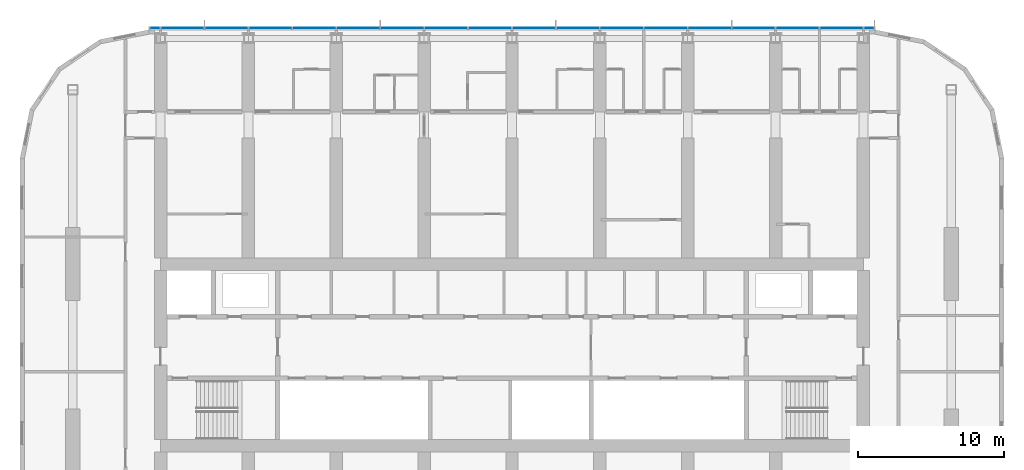
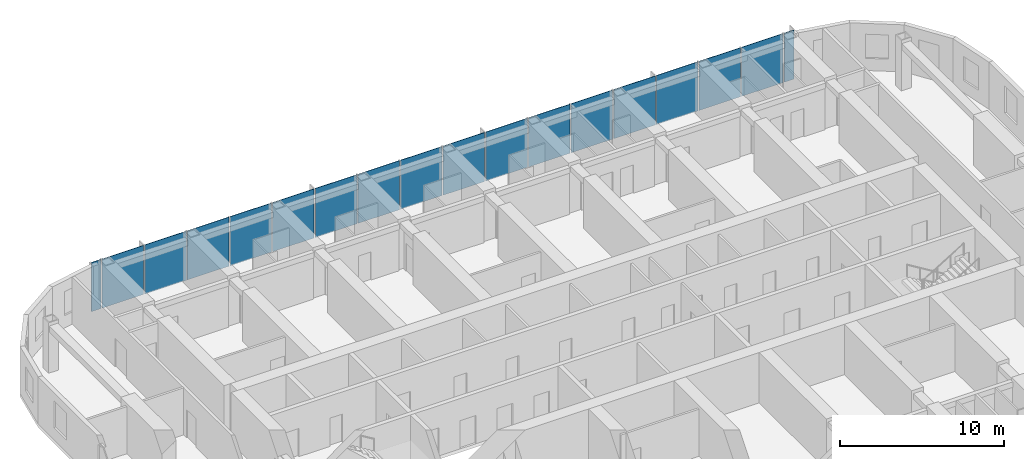
# One storey, part 9 of 23: 18 plates, 1 element without a shape of its own.
"""IFC4 building model written with IfcOpenShell, lengths in metres."""

import ifcopenshell
import ifcopenshell.guid

model = None  # the IFC model being written
_history = None  # IfcOwnerHistory: only IFC2X3 demands one
_inside = {}  # id of a spatial element -> (the spatial element, [elements in it])
_under = {}  # id of a project, library or spatial element -> (it, [spatial elements below it])
_declared = {}  # id of a project -> (the project, [libraries it declares])
_typed = {}  # id of a type object -> (the type object, [elements of that type])
_made_of = {}  # id of a material, layer set ... -> (it, [elements and type objects made of it])


def new_model(schema):
    """Start an empty IFC model of exactly this schema.

    Asked for "IFC4X3", IfcOpenShell would pick the latest addendum, in which some entities
    have other attributes; the version numbers below select the first issue.
    IFC2X3 requires an IfcOwnerHistory on every rooted entity: one is made here for all.
    """
    global model, _history
    if schema == "IFC4X3":
        model = ifcopenshell.file(schema_version=(4, 3, 0, 0))
    else:
        model = ifcopenshell.file(schema=schema)
    _inside.clear()
    _under.clear()
    _declared.clear()
    _typed.clear()
    _made_of.clear()
    _history = None
    if model.schema == "IFC2X3":
        org = make("IfcOrganization", Name="unknown")
        user = make(
            "IfcPersonAndOrganization",
            ThePerson=make("IfcPerson", FamilyName="unknown"),
            TheOrganization=org,
        )
        app = make(
            "IfcApplication",
            ApplicationDeveloper=org,
            Version="unknown",
            ApplicationFullName="unknown",
            ApplicationIdentifier="unknown",
        )
        _history = make(
            "IfcOwnerHistory",
            OwningUser=user,
            OwningApplication=app,
            ChangeAction="ADDED",
            CreationDate=0,
        )
    return model


def make(cls, **values):
    """One entity of the class cls with the attributes given. An attribute that is None is left unset."""
    return model.create_entity(
        cls, **{name: value for name, value in values.items() if value is not None}
    )


def rooted(cls, **values):
    """An entity with a GlobalId (a new one), such as an element, a storey or a relation."""
    return make(cls, GlobalId=ifcopenshell.guid.new(), OwnerHistory=_history, **values)


def si_unit(unit_type, name, prefix=None):
    """IfcSIUnit, for example si_unit("LENGTHUNIT", "METRE", prefix="MILLI")."""
    return make("IfcSIUnit", UnitType=unit_type, Prefix=prefix, Name=name)


def assignment(units):
    """IfcUnitAssignment: the units of a project."""
    return None if units is None else make("IfcUnitAssignment", Units=units)


def point(xyz):
    """IfcCartesianPoint."""
    return None if xyz is None else make("IfcCartesianPoint", Coordinates=xyz)


def direction(xyz):
    """IfcDirection."""
    return None if xyz is None else make("IfcDirection", DirectionRatios=xyz)


def frame(location, z_axis=None, x_axis=None):
    """IfcAxis2Placement3D, a coordinate frame: its origin and axes. An axis left out is left unset."""
    return make(
        "IfcAxis2Placement3D",
        Location=point(location),
        Axis=direction(z_axis),
        RefDirection=direction(x_axis),
    )


def frame_2d(location, x_axis=None):
    """IfcAxis2Placement2D, a coordinate frame in the plane: its origin and x axis."""
    return make(
        "IfcAxis2Placement2D", Location=point(location), RefDirection=direction(x_axis)
    )


def origin():
    """The frame at (0, 0, 0) with its axes left unset."""
    return frame((0.0, 0.0, 0.0))


def origin_2d():
    """The frame at (0, 0) in the plane with its x axis left unset."""
    return frame_2d((0.0, 0.0))


def place(relative_to, where):
    """IfcLocalPlacement: puts the frame where relative to a parent placement (None: the world)."""
    return make(
        "IfcLocalPlacement", PlacementRelTo=relative_to, RelativePlacement=where
    )


def context(
    kind, dimensions, precision=None, world=None, true_north=None, identifier=None
):
    """IfcGeometricRepresentationContext, for example the 3D "Model" context."""
    return make(
        "IfcGeometricRepresentationContext",
        ContextIdentifier=identifier,
        ContextType=kind,
        CoordinateSpaceDimension=dimensions,
        Precision=precision,
        WorldCoordinateSystem=world,
        TrueNorth=true_north,
    )


def subcontext(parent, identifier, kind, view, scale=None):
    """IfcGeometricRepresentationSubContext, for example "Body" below "Model"."""
    return make(
        "IfcGeometricRepresentationSubContext",
        ContextIdentifier=identifier,
        ContextType=kind,
        ParentContext=parent,
        TargetScale=scale,
        TargetView=view,
    )


def project(units=None, contexts=None):
    """IfcProject with its units and contexts."""
    return rooted(
        "IfcProject",
        Name="project",
        RepresentationContexts=contexts,
        UnitsInContext=assignment(units),
    )


def spatial(cls, under=None, at=None, **own):
    """A site, building, storey or space (cls), placed at a placement, below another one or the project."""
    s = rooted(cls, ObjectPlacement=at, **own)
    if under is not None:
        _under.setdefault(under.id(), (under, []))[1].append(s)
    return s


def profile(cls, at=None, kind="AREA", **sizes):
    """A parametric profile (cls). Its sizes go by their IFC names, for example OverallWidth=200.0."""
    return make(cls, ProfileType=kind, Position=at, **sizes)


def rectangle(**sizes):
    """IfcRectangleProfileDef."""
    return profile("IfcRectangleProfileDef", **sizes)


def extrude(swept, where, along, depth):
    """IfcExtrudedAreaSolid: the profile swept, set in the frame where, extruded along a direction by depth."""
    return make(
        "IfcExtrudedAreaSolid",
        SweptArea=swept,
        Position=where,
        ExtrudedDirection=direction(along),
        Depth=depth,
    )


def shape(context_of_items, identifier, shape_type, items):
    """IfcShapeRepresentation: the items that make up one representation, for example the "Body"."""
    return make(
        "IfcShapeRepresentation",
        ContextOfItems=context_of_items,
        RepresentationIdentifier=identifier,
        RepresentationType=shape_type,
        Items=items,
    )


def material(Name=None, Category=None):
    """IfcMaterial."""
    return make("IfcMaterial", Name=Name, Category=Category)


def layer(
    of_material, thickness, ventilated=None, Name=None, Category=None, Priority=None
):
    """IfcMaterialLayer: one layer of a wall or slab, of a material (None: an air gap)."""
    return make(
        "IfcMaterialLayer",
        Material=of_material,
        LayerThickness=thickness,
        IsVentilated=ventilated,
        Name=Name,
        Category=Category,
        Priority=Priority,
    )


def layer_set(layers, Name=None):
    """IfcMaterialLayerSet."""
    return make("IfcMaterialLayerSet", MaterialLayers=layers, LayerSetName=Name)


def made_of(thing, what):
    """Note that an element or type object is made of a material, layer set ...; save() writes the relation."""
    if what is not None:
        _made_of.setdefault(what.id(), (what, []))[1].append(thing)
    return thing


def type_object(cls, material=None, **own):
    """A type object (cls), such as IfcWallType, which elements share."""
    return made_of(rooted(cls, **own), material)


def element(
    cls,
    number,
    at=None,
    inside=None,
    cuts=None,
    type_object=None,
    material=None,
    context=None,
    identifier="Body",
    shape_type=None,
    held_by="IfcProductDefinitionShape",
    body=None,
    shapes=None,
    **own,
):
    """One element of the class cls, such as IfcWall. Its Tag is "e" and its number.

    at: its placement. inside: the storey or other place that contains it. cuts: it is an
    opening in that element (IfcRelVoidsElement). A single representation is given by context,
    identifier, shape_type and body (its items); several are given by shapes. held_by: the class
    of the entity that holds the representations. save() writes the other relations.
    """
    e = rooted(cls, Tag="e%d" % number, ObjectPlacement=at, **own)
    if body is not None:
        shapes = [shape(context, identifier, shape_type, body)]
    if shapes is not None:
        e.Representation = make(held_by, Representations=shapes)
    if inside is not None:
        _inside.setdefault(inside.id(), (inside, []))[1].append(e)
    if cuts is not None:
        rooted(
            "IfcRelVoidsElement", RelatingBuildingElement=cuts, RelatedOpeningElement=e
        )
    if type_object is not None:
        _typed.setdefault(type_object.id(), (type_object, []))[1].append(e)
    return made_of(e, material)


def aggregate(whole, parts):
    """IfcRelAggregates: a whole, such as a stair, and the parts it consists of."""
    return rooted("IfcRelAggregates", RelatingObject=whole, RelatedObjects=parts)


def save(model, path):
    """Write the relations noted so far, then the file.

    IfcRelAggregates (storeys below a building ...), IfcRelContainedInSpatialStructure (elements
    in a storey), IfcRelDefinesByType, IfcRelAssociatesMaterial and IfcRelDeclares: one each for
    every whole, place, type object, material and project.
    """
    for whole, parts in _under.values():
        aggregate(whole, parts)
    for where, things in _inside.values():
        rooted(
            "IfcRelContainedInSpatialStructure",
            RelatedElements=things,
            RelatingStructure=where,
        )
    for kind, things in _typed.values():
        rooted("IfcRelDefinesByType", RelatedObjects=things, RelatingType=kind)
    for what, things in _made_of.values():
        rooted("IfcRelAssociatesMaterial", RelatedObjects=things, RelatingMaterial=what)
    for by, libraries in _declared.values():
        rooted("IfcRelDeclares", RelatingContext=by, RelatedDefinitions=libraries)
    model.write(path)


model = new_model("IFC4")

# Units and contexts
model_context = context("Model", 3, precision=1e-05, world=origin(), true_north=direction((0.0, 1.0)))
body_context = subcontext(model_context, "Body", "Model", "MODEL_VIEW")
ifc_project = project(units=[si_unit("LENGTHUNIT", "METRE"), si_unit("AREAUNIT", "SQUARE_METRE"), si_unit("VOLUMEUNIT", "CUBIC_METRE"), si_unit("PLANEANGLEUNIT", "RADIAN"), si_unit("MASSUNIT", "GRAM", prefix="KILO")], contexts=[model_context])

# Site, building, storey
site_placement = place(None, origin())
site = spatial("IfcSite", under=ifc_project, at=site_placement, CompositionType="ELEMENT")
building_placement = place(site_placement, origin())
building = spatial("IfcBuilding", under=site, at=building_placement, Name="Orbita Commons", CompositionType="ELEMENT")
storey_placement = place(building_placement, frame((0.0, 0.0, 171.10009765625)))
storey = spatial("IfcBuildingStorey", under=building, at=storey_placement, Name="L42", CompositionType="ELEMENT", Elevation=171.10009765625)

# Curtain wall, plates
ifc_material_1 = material(Name="Anodised aluminium frame, pale silver", Category="aluminium")
curtain_wall_type = type_object("IfcCurtainWallType", Name="Unitised curtain wall CW-U, full-height vision", PredefinedType="NOTDEFINED", material=ifc_material_1)
curtain_wall_placement = place(storey_placement, origin())
curtain_wall = element("IfcCurtainWall", 1, at=curtain_wall_placement, inside=storey, type_object=curtain_wall_type, Name="Curtain wall north L42", PredefinedType="NOTDEFINED")
ifc_material_2 = material(Name="Clear double glazing", Category="glass")
ifc_layer = layer(ifc_material_2, 0.031982421875)
ifc_layer_set = layer_set([ifc_layer], Name="Clear double glazing")
plate_type = type_object("IfcPlateType", Name="Full-height vision panel, clear glazing 32", PredefinedType="CURTAIN_PANEL", material=ifc_layer_set)
plate_1_placement = place(storey_placement, frame((66.3798828125, 54.31005859375, -0.150146484375), z_axis=(0.0, 0.0, 1.0), x_axis=(-1.0, 0.0, 0.0)))
plate_1 = element("IfcPlate", 2, at=plate_1_placement, type_object=plate_type, Name="Panel 1.1 CW-L42-N", PredefinedType="CURTAIN_PANEL", context=body_context, shape_type="SweptSolid", body=[
    extrude(rectangle(XDim=0.679931640625, YDim=0.031982421875, at=origin_2d()), origin(), (0.0, 0.0, 1.0), 3.64990234375),
])
plate_2_placement = place(storey_placement, frame((64.5, 54.31005859375, -0.150146484375), z_axis=(0.0, 0.0, 1.0), x_axis=(-1.0, 0.0, 0.0)))
plate_2 = element("IfcPlate", 3, at=plate_2_placement, type_object=plate_type, Name="Panel 2.1 CW-L42-N", PredefinedType="CURTAIN_PANEL", context=body_context, shape_type="SweptSolid", body=[
    extrude(rectangle(XDim=2.919921875, YDim=0.031982421875, at=origin_2d()), origin(), (0.0, 0.0, 1.0), 3.64990234375),
])
plate_3_placement = place(storey_placement, frame((61.5, 54.31005859375, -0.150146484375), z_axis=(0.0, 0.0, 1.0), x_axis=(-1.0, 0.0, 0.0)))
plate_3 = element("IfcPlate", 4, at=plate_3_placement, type_object=plate_type, Name="Panel 3.1 CW-L42-N", PredefinedType="CURTAIN_PANEL", context=body_context, shape_type="SweptSolid", body=[
    extrude(rectangle(XDim=2.919921875, YDim=0.031982421875, at=origin_2d()), origin(), (0.0, 0.0, 1.0), 3.64990234375),
])
plate_4_placement = place(storey_placement, frame((58.5, 54.31005859375, -0.150146484375), z_axis=(0.0, 0.0, 1.0), x_axis=(-1.0, 0.0, 0.0)))
plate_4 = element("IfcPlate", 5, at=plate_4_placement, type_object=plate_type, Name="Panel 4.1 CW-L42-N", PredefinedType="CURTAIN_PANEL", context=body_context, shape_type="SweptSolid", body=[
    extrude(rectangle(XDim=2.919921875, YDim=0.031982421875, at=origin_2d()), origin(), (0.0, 0.0, 1.0), 3.64990234375),
])
plate_5_placement = place(storey_placement, frame((55.5, 54.31005859375, -0.150146484375), z_axis=(0.0, 0.0, 1.0), x_axis=(-1.0, 0.0, 0.0)))
plate_5 = element("IfcPlate", 6, at=plate_5_placement, type_object=plate_type, Name="Panel 5.1 CW-L42-N", PredefinedType="CURTAIN_PANEL", context=body_context, shape_type="SweptSolid", body=[
    extrude(rectangle(XDim=2.919921875, YDim=0.031982421875, at=origin_2d()), origin(), (0.0, 0.0, 1.0), 3.64990234375),
])
plate_6_placement = place(storey_placement, frame((52.5, 54.31005859375, -0.150146484375), z_axis=(0.0, 0.0, 1.0), x_axis=(-1.0, 0.0, 0.0)))
plate_6 = element("IfcPlate", 7, at=plate_6_placement, type_object=plate_type, Name="Panel 6.1 CW-L42-N", PredefinedType="CURTAIN_PANEL", context=body_context, shape_type="SweptSolid", body=[
    extrude(rectangle(XDim=2.919921875, YDim=0.031982421875, at=origin_2d()), origin(), (0.0, 0.0, 1.0), 3.64990234375),
])
plate_7_placement = place(storey_placement, frame((49.5, 54.31005859375, -0.150146484375), z_axis=(0.0, 0.0, 1.0), x_axis=(-1.0, 0.0, 0.0)))
plate_7 = element("IfcPlate", 8, at=plate_7_placement, type_object=plate_type, Name="Panel 7.1 CW-L42-N", PredefinedType="CURTAIN_PANEL", context=body_context, shape_type="SweptSolid", body=[
    extrude(rectangle(XDim=2.919921875, YDim=0.031982421875, at=origin_2d()), origin(), (0.0, 0.0, 1.0), 3.64990234375),
])
plate_8_placement = place(storey_placement, frame((46.5, 54.31005859375, -0.150146484375), z_axis=(0.0, 0.0, 1.0), x_axis=(-1.0, 0.0, 0.0)))
plate_8 = element("IfcPlate", 9, at=plate_8_placement, type_object=plate_type, Name="Panel 8.1 CW-L42-N", PredefinedType="CURTAIN_PANEL", context=body_context, shape_type="SweptSolid", body=[
    extrude(rectangle(XDim=2.919921875, YDim=0.031982421875, at=origin_2d()), origin(), (0.0, 0.0, 1.0), 3.64990234375),
])
plate_9_placement = place(storey_placement, frame((43.5, 54.31005859375, -0.150146484375), z_axis=(0.0, 0.0, 1.0), x_axis=(-1.0, 0.0, 0.0)))
plate_9 = element("IfcPlate", 10, at=plate_9_placement, type_object=plate_type, Name="Panel 9.1 CW-L42-N", PredefinedType="CURTAIN_PANEL", context=body_context, shape_type="SweptSolid", body=[
    extrude(rectangle(XDim=2.919921875, YDim=0.031982421875, at=origin_2d()), origin(), (0.0, 0.0, 1.0), 3.64990234375),
])
plate_10_placement = place(storey_placement, frame((40.5, 54.31005859375, -0.150146484375), z_axis=(0.0, 0.0, 1.0), x_axis=(-1.0, 0.0, 0.0)))
plate_10 = element("IfcPlate", 11, at=plate_10_placement, type_object=plate_type, Name="Panel 10.1 CW-L42-N", PredefinedType="CURTAIN_PANEL", context=body_context, shape_type="SweptSolid", body=[
    extrude(rectangle(XDim=2.919921875, YDim=0.031982421875, at=origin_2d()), origin(), (0.0, 0.0, 1.0), 3.64990234375),
])
plate_11_placement = place(storey_placement, frame((37.5, 54.31005859375, -0.150146484375), z_axis=(0.0, 0.0, 1.0), x_axis=(-1.0, 0.0, 0.0)))
plate_11 = element("IfcPlate", 12, at=plate_11_placement, type_object=plate_type, Name="Panel 11.1 CW-L42-N", PredefinedType="CURTAIN_PANEL", context=body_context, shape_type="SweptSolid", body=[
    extrude(rectangle(XDim=2.919921875, YDim=0.031982421875, at=origin_2d()), origin(), (0.0, 0.0, 1.0), 3.64990234375),
])
plate_12_placement = place(storey_placement, frame((34.5, 54.31005859375, -0.150146484375), z_axis=(0.0, 0.0, 1.0), x_axis=(-1.0, 0.0, 0.0)))
plate_12 = element("IfcPlate", 13, at=plate_12_placement, type_object=plate_type, Name="Panel 12.1 CW-L42-N", PredefinedType="CURTAIN_PANEL", context=body_context, shape_type="SweptSolid", body=[
    extrude(rectangle(XDim=2.919921875, YDim=0.031982421875, at=origin_2d()), origin(), (0.0, 0.0, 1.0), 3.64990234375),
])
plate_13_placement = place(storey_placement, frame((31.5, 54.31005859375, -0.150146484375), z_axis=(0.0, 0.0, 1.0), x_axis=(-1.0, 0.0, 0.0)))
plate_13 = element("IfcPlate", 14, at=plate_13_placement, type_object=plate_type, Name="Panel 13.1 CW-L42-N", PredefinedType="CURTAIN_PANEL", context=body_context, shape_type="SweptSolid", body=[
    extrude(rectangle(XDim=2.919921875, YDim=0.031982421875, at=origin_2d()), origin(), (0.0, 0.0, 1.0), 3.64990234375),
])
plate_14_placement = place(storey_placement, frame((28.5, 54.31005859375, -0.150146484375), z_axis=(0.0, 0.0, 1.0), x_axis=(-1.0, 0.0, 0.0)))
plate_14 = element("IfcPlate", 15, at=plate_14_placement, type_object=plate_type, Name="Panel 14.1 CW-L42-N", PredefinedType="CURTAIN_PANEL", context=body_context, shape_type="SweptSolid", body=[
    extrude(rectangle(XDim=2.919921875, YDim=0.031982421875, at=origin_2d()), origin(), (0.0, 0.0, 1.0), 3.64990234375),
])
plate_15_placement = place(storey_placement, frame((25.5, 54.31005859375, -0.150146484375), z_axis=(0.0, 0.0, 1.0), x_axis=(-1.0, 0.0, 0.0)))
plate_15 = element("IfcPlate", 16, at=plate_15_placement, type_object=plate_type, Name="Panel 15.1 CW-L42-N", PredefinedType="CURTAIN_PANEL", context=body_context, shape_type="SweptSolid", body=[
    extrude(rectangle(XDim=2.919921875, YDim=0.031982421875, at=origin_2d()), origin(), (0.0, 0.0, 1.0), 3.64990234375),
])
plate_16_placement = place(storey_placement, frame((22.5, 54.31005859375, -0.150146484375), z_axis=(0.0, 0.0, 1.0), x_axis=(-1.0, 0.0, 0.0)))
plate_16 = element("IfcPlate", 17, at=plate_16_placement, type_object=plate_type, Name="Panel 16.1 CW-L42-N", PredefinedType="CURTAIN_PANEL", context=body_context, shape_type="SweptSolid", body=[
    extrude(rectangle(XDim=2.919921875, YDim=0.031982421875, at=origin_2d()), origin(), (0.0, 0.0, 1.0), 3.64990234375),
])
plate_17_placement = place(storey_placement, frame((19.5, 54.31005859375, -0.150146484375), z_axis=(0.0, 0.0, 1.0), x_axis=(-1.0, 0.0, 0.0)))
plate_17 = element("IfcPlate", 18, at=plate_17_placement, type_object=plate_type, Name="Panel 17.1 CW-L42-N", PredefinedType="CURTAIN_PANEL", context=body_context, shape_type="SweptSolid", body=[
    extrude(rectangle(XDim=2.919921875, YDim=0.031982421875, at=origin_2d()), origin(), (0.0, 0.0, 1.0), 3.64990234375),
])
plate_18_placement = place(storey_placement, frame((17.6201171875, 54.31005859375, -0.150146484375), z_axis=(0.0, 0.0, 1.0), x_axis=(-1.0, 0.0, 0.0)))
plate_18 = element("IfcPlate", 19, at=plate_18_placement, type_object=plate_type, Name="Panel 18.1 CW-L42-N", PredefinedType="CURTAIN_PANEL", context=body_context, shape_type="SweptSolid", body=[
    extrude(rectangle(XDim=0.679931640625, YDim=0.031982421875, at=origin_2d()), origin(), (0.0, 0.0, 1.0), 3.64990234375),
])
aggregate(curtain_wall, [plate_1, plate_2, plate_3, plate_4, plate_5, plate_6, plate_7, plate_8, plate_9, plate_10, plate_11, plate_12, plate_13, plate_14, plate_15, plate_16, plate_17, plate_18])

save(model, "model.ifc")
